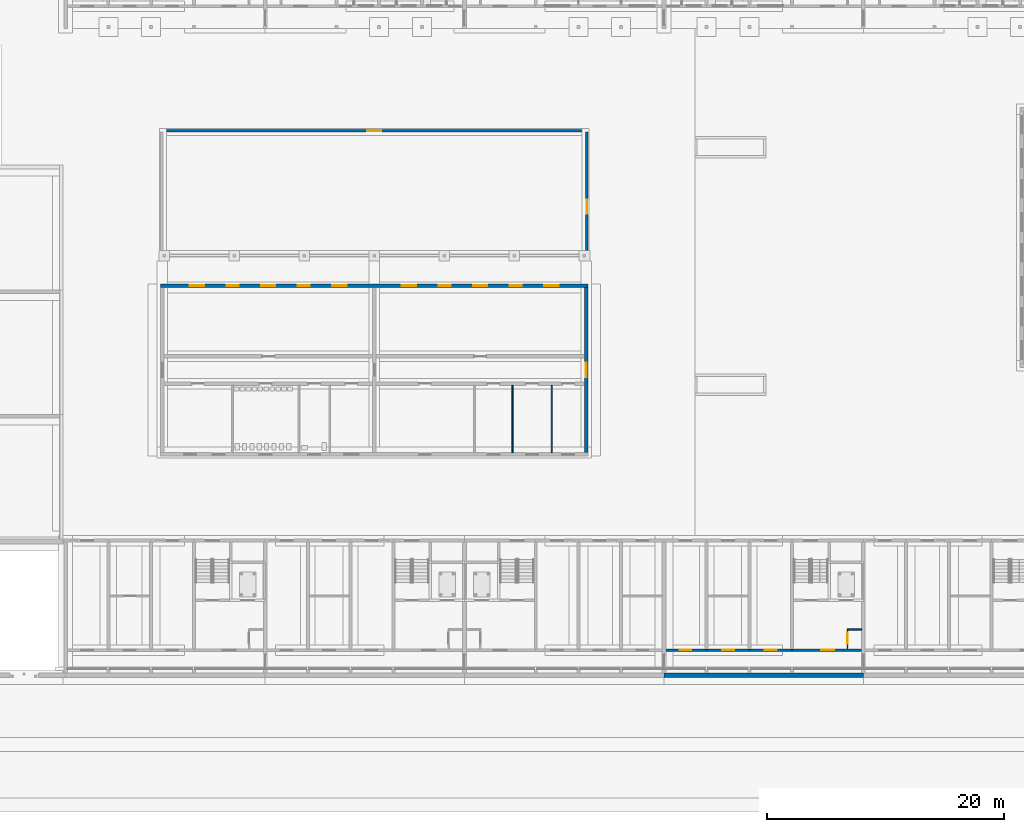
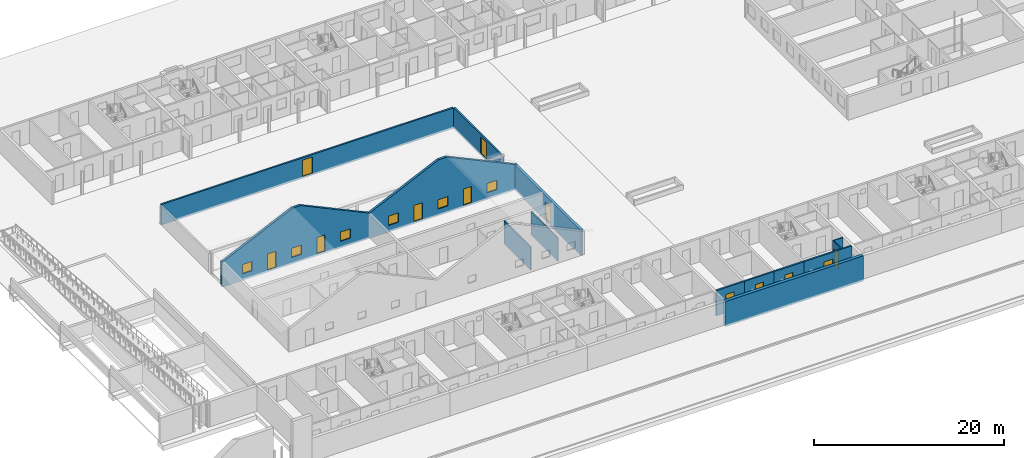
# One storey, part 41 of 112: 13 walls, 12 doors, 6 windows, 18 openings.
"""IFC4 building model written with IfcOpenShell, lengths in metres."""

from ifc_helpers import new_model, si_unit, direction, frame, frame_2d, origin, place, context, subcontext, project, spatial, polyline, rectangle, outline, extrude, material, layer, layer_set, type_object, element, fill, save


model = new_model("IFC4")

# Units and contexts
model_context = context("Model", 3, precision=1e-05, world=origin(), true_north=direction((0.0, 1.0)))
body_context = subcontext(model_context, "Body", "Model", "MODEL_VIEW")
ifc_project = project(units=[si_unit("LENGTHUNIT", "METRE"), si_unit("AREAUNIT", "SQUARE_METRE"), si_unit("VOLUMEUNIT", "CUBIC_METRE"), si_unit("PLANEANGLEUNIT", "RADIAN"), si_unit("MASSUNIT", "GRAM", prefix="KILO")], contexts=[model_context])

# Site, building, storey
site_placement = place(None, origin())
site = spatial("IfcSite", under=ifc_project, at=site_placement, CompositionType="ELEMENT")
building_placement = place(site_placement, origin())
building = spatial("IfcBuilding", under=site, at=building_placement, Name="Ridgestep Commons", CompositionType="ELEMENT")
storey_placement = place(building_placement, origin())
storey = spatial("IfcBuildingStorey", under=building, at=storey_placement, Name="L00", CompositionType="ELEMENT", Elevation=0.0)

# Wall, opening, door
ifc_material_1 = material(Name="Concrete C30/37", Category="concrete")
ifc_layer_1 = layer(ifc_material_1, 0.199951171875)
ifc_layer_set_1 = layer_set([ifc_layer_1], Name="Community enclosure wall 200")
wall_type_1 = type_object("IfcWallType", Name="Community enclosure wall 200", PredefinedType="SOLIDWALL", material=ifc_layer_set_1)
wall_1_placement = place(storey_placement, frame((55.89990234375, 47.0, -0.25), z_axis=(0.0, 0.0, 1.0), x_axis=(0.0, 1.0, 0.0)))
wall_1 = element("IfcWall", 1, at=wall_1_placement, inside=storey, type_object=wall_type_1, Name="Community enclosure wall 200", PredefinedType="SOLIDWALL", context=body_context, shape_type="SweptSolid", body=[
    extrude(rectangle(XDim=10.300048828125, YDim=0.199951171875, at=frame_2d((5.14990234375, 0.0))), origin(), (0.0, 0.0, 1.0), 2.64990234375),
])
opening_1_placement = place(wall_1_placement, frame((3.39990234375, 0.0, 0.25)))
opening_1 = element("IfcOpeningElement", 2, at=opening_1_placement, cuts=wall_1, Name="Opening C025", PredefinedType="OPENING", context=body_context, shape_type="SweptSolid", body=[
    extrude(rectangle(XDim=1.199951171875, YDim=2.10009765625, at=frame_2d((0.60009765625, 1.050048828125))), frame((0.0, 0.10986328125, 0.0), z_axis=(0.0, -1.0, 0.0), x_axis=(1.0, 0.0, 0.0)), (0.0, 0.0, 1.0), 0.219970703125),
])
ifc_material_2 = material(Name="Steel", Category="steel")
door_type_1 = type_object("IfcDoorType", Name="Community gate 1200 x 2100", OperationType="SINGLE_SWING_LEFT", PredefinedType="GATE", material=ifc_material_2)
door_1_placement = place(opening_1_placement, origin())
door_1 = element("IfcDoor", 3, at=door_1_placement, inside=storey, type_object=door_type_1, Name="Community gate 1200 x 2100", OperationType="SINGLE_SWING_RIGHT", OverallHeight=2.10009765625, OverallWidth=1.199951171875, PredefinedType="GATE", context=body_context, shape_type="SweptSolid", body=[
    extrude(rectangle(XDim=1.199951171875, YDim=2.10009765625, at=frame_2d((0.60009765625, 1.050048828125))), frame((0.0, 0.02490234375, 0.0), z_axis=(0.0, -1.0, 0.0), x_axis=(1.0, 0.0, 0.0)), (0.0, 0.0, 1.0), 0.050048828125),
])
fill(opening_1, door_1)

wall_2_placement = place(storey_placement, frame((20.199951171875, 57.39990234375, -0.25), z_axis=(0.0, 0.0, 1.0), x_axis=(1.0, 0.0, 0.0)))
wall_2 = element("IfcWall", 4, at=wall_2_placement, inside=storey, type_object=wall_type_1, Name="Community enclosure wall 200", PredefinedType="SOLIDWALL", context=body_context, shape_type="SweptSolid", body=[
    extrude(rectangle(XDim=35.60009765625, YDim=0.199951171875, at=frame_2d((17.800048828125, 0.0))), origin(), (0.0, 0.0, 1.0), 2.64990234375),
])
opening_2_placement = place(wall_2_placement, frame((17.199951171875, 0.0, 0.25)))
opening_2 = element("IfcOpeningElement", 5, at=opening_2_placement, cuts=wall_2, Name="Opening C024", PredefinedType="OPENING", context=body_context, shape_type="SweptSolid", body=[
    extrude(rectangle(XDim=1.199951171875, YDim=2.10009765625, at=frame_2d((0.60009765625, 1.050048828125))), frame((0.0, 0.10986328125, 0.0), z_axis=(0.0, -1.0, 0.0), x_axis=(1.0, 0.0, 0.0)), (0.0, 0.0, 1.0), 0.219970703125),
])
door_2_placement = place(opening_2_placement, origin())
door_2 = element("IfcDoor", 6, at=door_2_placement, inside=storey, type_object=door_type_1, Name="Community gate 1200 x 2100", OperationType="SINGLE_SWING_LEFT", OverallHeight=2.10009765625, OverallWidth=1.199951171875, PredefinedType="GATE", context=body_context, shape_type="SweptSolid", body=[
    extrude(rectangle(XDim=1.199951171875, YDim=2.10009765625, at=frame_2d((0.60009765625, 1.050048828125))), frame((0.0, 0.02490234375, 0.0), z_axis=(0.0, -1.0, 0.0), x_axis=(1.0, 0.0, 0.0)), (0.0, 0.0, 1.0), 0.050048828125),
])
fill(opening_2, door_2)

ifc_material_3 = material(Name="Facing brick", Category="masonry")
ifc_layer_2 = layer(ifc_material_3, 0.300048828125)
ifc_layer_set_2 = layer_set([ifc_layer_2], Name="Community exposed nursery wall 300")
wall_type_2 = type_object("IfcWallType", Name="Community exposed nursery wall 300", PredefinedType="SOLIDWALL", material=ifc_layer_set_2)
wall_3_placement = place(storey_placement, frame((55.85009765625, 30.300048828125, -0.25), z_axis=(0.0, 0.0, 1.0), x_axis=(0.0, 1.0, 0.0)))
wall_3 = element("IfcWall", 7, at=wall_3_placement, inside=storey, type_object=wall_type_2, Name="Community exposed nursery wall 300", PredefinedType="SOLIDWALL", context=body_context, shape_type="SweptSolid", body=[
    extrude(rectangle(XDim=13.89990234375, YDim=0.300048828125, at=frame_2d((6.949951171875, 0.0))), origin(), (0.0, 0.0, 1.0), 3.25),
])
opening_3_placement = place(wall_3_placement, frame((6.35009765625, 0.0, 0.25)))
opening_3 = element("IfcOpeningElement", 8, at=opening_3_placement, cuts=wall_3, Name="Opening C023", PredefinedType="OPENING", context=body_context, shape_type="SweptSolid", body=[
    extrude(rectangle(XDim=1.199951171875, YDim=2.10009765625, at=frame_2d((0.60009765625, 1.050048828125))), frame((0.0, 0.159912109375, 0.0), z_axis=(0.0, -1.0, 0.0), x_axis=(1.0, 0.0, 0.0)), (0.0, 0.0, 1.0), 0.320068359375),
])
ifc_material_4 = material(Name="Steel", Category="steel")
door_type_2 = type_object("IfcDoorType", Name="Community exit door 1200 x 2100", OperationType="SINGLE_SWING_LEFT", PredefinedType="DOOR", material=ifc_material_4)
door_3_placement = place(opening_3_placement, frame((1.199951171875, 0.0, 0.0), z_axis=(0.0, 0.0, 1.0), x_axis=(-1.0, 0.0, 0.0)))
door_3 = element("IfcDoor", 9, at=door_3_placement, inside=storey, type_object=door_type_2, Name="Community exit door 1200 x 2100", OperationType="SINGLE_SWING_RIGHT", OverallHeight=2.10009765625, OverallWidth=1.199951171875, PredefinedType="DOOR", context=body_context, shape_type="SweptSolid", body=[
    extrude(rectangle(XDim=1.199951171875, YDim=2.10009765625, at=frame_2d((0.60009765625, 1.050048828125))), frame((0.0, 0.02490234375, 0.0), z_axis=(0.0, -1.0, 0.0), x_axis=(1.0, 0.0, 0.0)), (0.0, 0.0, 1.0), 0.050048828125),
])
fill(opening_3, door_3)

ifc_material_5 = material(Name="Concrete C30/37", Category="concrete")
ifc_layer_3 = layer(ifc_material_5, 0.199951171875)
ifc_layer_set_3 = layer_set([ifc_layer_3], Name="Core south wall 200")
wall_type_3 = type_object("IfcWallType", Name="Core south wall 200", PredefinedType="SHEAR", material=ifc_layer_set_3)
wall_4_placement = place(storey_placement, frame((73.199951171875, 13.64990234375, -0.25), z_axis=(0.0, 0.0, 1.0), x_axis=(1.0, 0.0, 0.0)))
wall_4 = element("IfcWall", 10, at=wall_4_placement, inside=storey, type_object=wall_type_3, Name="Core south wall A4C L00", PredefinedType="SHEAR", context=body_context, shape_type="SweptSolid", body=[
    extrude(rectangle(XDim=5.85009765625, YDim=0.199951171875, at=frame_2d((2.925048828125, 0.0))), origin(), (0.0, 0.0, 1.0), 3.25),
])
opening_4_placement = place(wall_4_placement, frame((2.4375, 0.0, 0.25)))
opening_4 = element("IfcOpeningElement", 11, at=opening_4_placement, cuts=wall_4, Name="Opening A4C/00/1", PredefinedType="OPENING", context=body_context, shape_type="SweptSolid", body=[
    extrude(rectangle(XDim=1.10009765625, YDim=2.10009765625, at=frame_2d((0.550048828125, 1.050048828125))), frame((0.0, 0.10986328125, 0.0), z_axis=(0.0, -1.0, 0.0), x_axis=(1.0, 0.0, 0.0)), (0.0, 0.0, 1.0), 0.219970703125),
])
ifc_material_6 = material(Name="Steel fire door", Category="steel")
door_type_3 = type_object("IfcDoorType", Name="Lobby door 1100 x 2100 FD60", OperationType="NOTDEFINED", PredefinedType="DOOR", material=ifc_material_6)
door_4_placement = place(opening_4_placement, origin())
door_4 = element("IfcDoor", 12, at=door_4_placement, inside=storey, type_object=door_type_3, Name="Lobby door A4C/00/1", OperationType="SINGLE_SWING_LEFT", OverallHeight=2.10009765625, OverallWidth=1.10009765625, PredefinedType="DOOR", context=body_context, shape_type="SweptSolid", body=[
    extrude(rectangle(XDim=1.10009765625, YDim=2.10009765625, at=frame_2d((0.550048828125, 1.050048828125))), frame((0.0, 0.02490234375, 0.0), z_axis=(0.0, -1.0, 0.0), x_axis=(1.0, 0.0, 0.0)), (0.0, 0.0, 1.0), 0.050048828125),
])
fill(opening_4, door_4)

ifc_material_7 = material(Name="Concrete C30/37", Category="concrete")
ifc_layer_4 = layer(ifc_material_7, 0.1201171875)
ifc_layer_set_4 = layer_set([ifc_layer_4], Name="Core wall 120")
wall_type_4 = type_object("IfcWallType", Name="Core wall 120", PredefinedType="SHEAR", material=ifc_layer_set_4)
wall_5_placement = place(storey_placement, frame((77.860107421875, 13.75, -0.25), z_axis=(0.0, 0.0, 1.0), x_axis=(0.0, 1.0, 0.0)))
wall_5 = element("IfcWall", 13, at=wall_5_placement, inside=storey, type_object=wall_type_4, Name="Core riser w wall A4C L00", PredefinedType="SHEAR", context=body_context, shape_type="SweptSolid", body=[
    extrude(rectangle(XDim=1.719970703125, YDim=0.1201171875, at=frame_2d((0.85986328125, 0.0))), origin(), (0.0, 0.0, 1.0), 3.25),
])
opening_5_placement = place(wall_5_placement, frame((0.449951171875, 0.0, 0.25)))
opening_5 = element("IfcOpeningElement", 14, at=opening_5_placement, cuts=wall_5, Name="Opening A4C/00/4", PredefinedType="OPENING", context=body_context, shape_type="SweptSolid", body=[
    extrude(rectangle(XDim=0.89990234375, YDim=2.10009765625, at=frame_2d((0.449951171875, 1.050048828125))), frame((0.0, 0.070068359375, 0.0), z_axis=(0.0, -1.0, 0.0), x_axis=(1.0, 0.0, 0.0)), (0.0, 0.0, 1.0), 0.14013671875),
])
ifc_material_8 = material(Name="Steel fire door", Category="steel")
door_type_4 = type_object("IfcDoorType", Name="Riser door 900 x 2100 FD60", OperationType="NOTDEFINED", PredefinedType="DOOR", material=ifc_material_8)
door_5_placement = place(opening_5_placement, origin())
door_5 = element("IfcDoor", 15, at=door_5_placement, inside=storey, type_object=door_type_4, Name="Riser door A4C/00/4", OperationType="SINGLE_SWING_LEFT", OverallHeight=2.10009765625, OverallWidth=0.89990234375, PredefinedType="DOOR", context=body_context, shape_type="SweptSolid", body=[
    extrude(rectangle(XDim=0.89990234375, YDim=2.10009765625, at=frame_2d((0.449951171875, 1.050048828125))), frame((0.0, 0.02490234375, 0.0), z_axis=(0.0, -1.0, 0.0), x_axis=(1.0, 0.0, 0.0)), (0.0, 0.0, 1.0), 0.050048828125),
])
fill(opening_5, door_5)

# Wall
wall_6_placement = place(storey_placement, frame((77.919921875, 15.409912109375, -0.25), z_axis=(0.0, 0.0, 1.0), x_axis=(1.0, 0.0, 0.0)))
element("IfcWall", 16, at=wall_6_placement, inside=storey, type_object=wall_type_4, Name="Core riser n wall A4C L00", PredefinedType="SHEAR", context=body_context, shape_type="SweptSolid", body=[
    extrude(rectangle(XDim=1.130126953125, YDim=0.1201171875, at=frame_2d((0.56494140625, 0.0))), origin(), (0.0, 0.0, 1.0), 3.25),
])

# Wall, openings, doors, windows
ifc_material_9 = material(Name="Facing brick", Category="masonry")
ifc_layer_5 = layer(ifc_material_9, 0.300048828125)
ifc_layer_set_5 = layer_set([ifc_layer_5], Name="Nursery gable wall 300")
wall_type_5 = type_object("IfcWallType", Name="Nursery gable wall 300", PredefinedType="SOLIDWALL", material=ifc_layer_set_5)
wall_7_placement = place(storey_placement, frame((20.0, 44.35009765625, -0.25), z_axis=(0.0, 0.0, 1.0), x_axis=(1.0, 0.0, 0.0)))
wall_7 = element("IfcWall", 17, at=wall_7_placement, inside=storey, type_object=wall_type_5, Name="Nursery gable wall 300", PredefinedType="SOLIDWALL", context=body_context, shape_type="SweptSolid", body=[
    extrude(outline(polyline([(0.0, 0.0), (36.0, 0.0), (36.0, 3.2470703125), (35.85009765625, 3.2470703125), (27.425048828125, 7.175537109375), (26.425048828125, 7.175537109375), (18.0, 3.2470703125), (9.574951171875, 7.175537109375), (8.574951171875, 7.175537109375), (0.14990234375, 3.2470703125), (0.0, 3.2470703125), (0.0, 0.0)])), frame((0.0, 0.14990234375, 0.0), z_axis=(0.0, -1.0, 0.0), x_axis=(1.0, 0.0, 0.0)), (0.0, 0.0, 1.0), 0.300048828125),
])
opening_6_placement = place(wall_7_placement, frame((2.47509765625, 0.0, 0.85009765625)))
opening_6 = element("IfcOpeningElement", 18, at=opening_6_placement, cuts=wall_7, Name="Opening WK9", PredefinedType="OPENING", context=body_context, shape_type="SweptSolid", body=[
    extrude(rectangle(XDim=1.199951171875, YDim=1.199951171875, at=frame_2d((0.60009765625, 0.60009765625))), frame((0.0, 0.159912109375, 0.0), z_axis=(0.0, -1.0, 0.0), x_axis=(1.0, 0.0, 0.0)), (0.0, 0.0, 1.0), 0.320068359375),
])
opening_7_placement = place(wall_7_placement, frame((8.47509765625, 0.0, 0.85009765625)))
opening_7 = element("IfcOpeningElement", 19, at=opening_7_placement, cuts=wall_7, Name="Opening WK9", PredefinedType="OPENING", context=body_context, shape_type="SweptSolid", body=[
    extrude(rectangle(XDim=1.199951171875, YDim=1.199951171875, at=frame_2d((0.60009765625, 0.60009765625))), frame((0.0, 0.159912109375, 0.0), z_axis=(0.0, -1.0, 0.0), x_axis=(1.0, 0.0, 0.0)), (0.0, 0.0, 1.0), 0.320068359375),
])
opening_8_placement = place(wall_7_placement, frame((14.47509765625, 0.0, 0.85009765625)))
opening_8 = element("IfcOpeningElement", 20, at=opening_8_placement, cuts=wall_7, Name="Opening WK9", PredefinedType="OPENING", context=body_context, shape_type="SweptSolid", body=[
    extrude(rectangle(XDim=1.199951171875, YDim=1.199951171875, at=frame_2d((0.60009765625, 0.60009765625))), frame((0.0, 0.159912109375, 0.0), z_axis=(0.0, -1.0, 0.0), x_axis=(1.0, 0.0, 0.0)), (0.0, 0.0, 1.0), 0.320068359375),
])
opening_9_placement = place(wall_7_placement, frame((5.574951171875, 0.0, 0.25)))
opening_9 = element("IfcOpeningElement", 21, at=opening_9_placement, cuts=wall_7, Name="Opening C018", PredefinedType="OPENING", context=body_context, shape_type="SweptSolid", body=[
    extrude(rectangle(XDim=1.0, YDim=2.10009765625, at=frame_2d((0.5, 1.050048828125))), frame((0.0, 0.159912109375, 0.0), z_axis=(0.0, -1.0, 0.0), x_axis=(1.0, 0.0, 0.0)), (0.0, 0.0, 1.0), 0.320068359375),
])
opening_10_placement = place(wall_7_placement, frame((11.574951171875, 0.0, 0.25)))
opening_10 = element("IfcOpeningElement", 22, at=opening_10_placement, cuts=wall_7, Name="Opening C019", PredefinedType="OPENING", context=body_context, shape_type="SweptSolid", body=[
    extrude(rectangle(XDim=1.0, YDim=2.10009765625, at=frame_2d((0.5, 1.050048828125))), frame((0.0, 0.159912109375, 0.0), z_axis=(0.0, -1.0, 0.0), x_axis=(1.0, 0.0, 0.0)), (0.0, 0.0, 1.0), 0.320068359375),
])
opening_11_placement = place(wall_7_placement, frame((20.324951171875, 0.0, 0.85009765625)))
opening_11 = element("IfcOpeningElement", 23, at=opening_11_placement, cuts=wall_7, Name="Opening WK9", PredefinedType="OPENING", context=body_context, shape_type="SweptSolid", body=[
    extrude(rectangle(XDim=1.199951171875, YDim=1.199951171875, at=frame_2d((0.60009765625, 0.60009765625))), frame((0.0, 0.159912109375, 0.0), z_axis=(0.0, -1.0, 0.0), x_axis=(1.0, 0.0, 0.0)), (0.0, 0.0, 1.0), 0.320068359375),
])
opening_12_placement = place(wall_7_placement, frame((26.324951171875, 0.0, 0.85009765625)))
opening_12 = element("IfcOpeningElement", 24, at=opening_12_placement, cuts=wall_7, Name="Opening WK9", PredefinedType="OPENING", context=body_context, shape_type="SweptSolid", body=[
    extrude(rectangle(XDim=1.199951171875, YDim=1.199951171875, at=frame_2d((0.60009765625, 0.60009765625))), frame((0.0, 0.159912109375, 0.0), z_axis=(0.0, -1.0, 0.0), x_axis=(1.0, 0.0, 0.0)), (0.0, 0.0, 1.0), 0.320068359375),
])
opening_13_placement = place(wall_7_placement, frame((32.324951171875, 0.0, 0.85009765625)))
opening_13 = element("IfcOpeningElement", 25, at=opening_13_placement, cuts=wall_7, Name="Opening WK9", PredefinedType="OPENING", context=body_context, shape_type="SweptSolid", body=[
    extrude(rectangle(XDim=1.199951171875, YDim=1.199951171875, at=frame_2d((0.60009765625, 0.60009765625))), frame((0.0, 0.159912109375, 0.0), z_axis=(0.0, -1.0, 0.0), x_axis=(1.0, 0.0, 0.0)), (0.0, 0.0, 1.0), 0.320068359375),
])
opening_14_placement = place(wall_7_placement, frame((23.425048828125, 0.0, 0.25)))
opening_14 = element("IfcOpeningElement", 26, at=opening_14_placement, cuts=wall_7, Name="Opening C020", PredefinedType="OPENING", context=body_context, shape_type="SweptSolid", body=[
    extrude(rectangle(XDim=1.0, YDim=2.10009765625, at=frame_2d((0.5, 1.050048828125))), frame((0.0, 0.159912109375, 0.0), z_axis=(0.0, -1.0, 0.0), x_axis=(1.0, 0.0, 0.0)), (0.0, 0.0, 1.0), 0.320068359375),
])
opening_15_placement = place(wall_7_placement, frame((29.425048828125, 0.0, 0.25)))
opening_15 = element("IfcOpeningElement", 27, at=opening_15_placement, cuts=wall_7, Name="Opening C021", PredefinedType="OPENING", context=body_context, shape_type="SweptSolid", body=[
    extrude(rectangle(XDim=1.0, YDim=2.10009765625, at=frame_2d((0.5, 1.050048828125))), frame((0.0, 0.159912109375, 0.0), z_axis=(0.0, -1.0, 0.0), x_axis=(1.0, 0.0, 0.0)), (0.0, 0.0, 1.0), 0.320068359375),
])
ifc_material_10 = material(Name="Timber and glass", Category="wood")
door_type_5 = type_object("IfcDoorType", Name="Nursery door 1000 x 2100", OperationType="SINGLE_SWING_LEFT", PredefinedType="DOOR", material=ifc_material_10)
door_6_placement = place(opening_9_placement, origin())
door_6 = element("IfcDoor", 28, at=door_6_placement, inside=storey, type_object=door_type_5, Name="Nursery door 1000 x 2100", OperationType="SINGLE_SWING_RIGHT", OverallHeight=2.10009765625, OverallWidth=1.0, PredefinedType="DOOR", context=body_context, shape_type="SweptSolid", body=[
    extrude(rectangle(XDim=1.0, YDim=2.10009765625, at=frame_2d((0.5, 1.050048828125))), frame((0.0, 0.02490234375, 0.0), z_axis=(0.0, -1.0, 0.0), x_axis=(1.0, 0.0, 0.0)), (0.0, 0.0, 1.0), 0.050048828125),
])
fill(opening_9, door_6)
door_7_placement = place(opening_10_placement, origin())
door_7 = element("IfcDoor", 29, at=door_7_placement, inside=storey, type_object=door_type_5, Name="Nursery door 1000 x 2100", OperationType="SINGLE_SWING_LEFT", OverallHeight=2.10009765625, OverallWidth=1.0, PredefinedType="DOOR", context=body_context, shape_type="SweptSolid", body=[
    extrude(rectangle(XDim=1.0, YDim=2.10009765625, at=frame_2d((0.5, 1.050048828125))), frame((0.0, 0.02490234375, 0.0), z_axis=(0.0, -1.0, 0.0), x_axis=(1.0, 0.0, 0.0)), (0.0, 0.0, 1.0), 0.050048828125),
])
fill(opening_10, door_7)
door_8_placement = place(opening_14_placement, origin())
door_8 = element("IfcDoor", 30, at=door_8_placement, inside=storey, type_object=door_type_5, Name="Nursery door 1000 x 2100", OperationType="SINGLE_SWING_LEFT", OverallHeight=2.10009765625, OverallWidth=1.0, PredefinedType="DOOR", context=body_context, shape_type="SweptSolid", body=[
    extrude(rectangle(XDim=1.0, YDim=2.10009765625, at=frame_2d((0.5, 1.050048828125))), frame((0.0, 0.02490234375, 0.0), z_axis=(0.0, -1.0, 0.0), x_axis=(1.0, 0.0, 0.0)), (0.0, 0.0, 1.0), 0.050048828125),
])
fill(opening_14, door_8)
door_9_placement = place(opening_15_placement, origin())
door_9 = element("IfcDoor", 31, at=door_9_placement, inside=storey, type_object=door_type_5, Name="Nursery door 1000 x 2100", OperationType="SINGLE_SWING_LEFT", OverallHeight=2.10009765625, OverallWidth=1.0, PredefinedType="DOOR", context=body_context, shape_type="SweptSolid", body=[
    extrude(rectangle(XDim=1.0, YDim=2.10009765625, at=frame_2d((0.5, 1.050048828125))), frame((0.0, 0.02490234375, 0.0), z_axis=(0.0, -1.0, 0.0), x_axis=(1.0, 0.0, 0.0)), (0.0, 0.0, 1.0), 0.050048828125),
])
fill(opening_15, door_9)
ifc_material_11 = material(Name="Timber and glass", Category="wood")
window_type = type_object("IfcWindowType", Name="Nursery window 1200 x 1200", PartitioningType="DOUBLE_PANEL_VERTICAL", PredefinedType="WINDOW", material=ifc_material_11)
window_1_placement = place(opening_6_placement, origin())
window_1 = element("IfcWindow", 32, at=window_1_placement, inside=storey, type_object=window_type, Name="Nursery window 1200 x 1200", OverallHeight=1.199951171875, OverallWidth=1.199951171875, PartitioningType="SINGLE_PANEL", PredefinedType="WINDOW", context=body_context, shape_type="SweptSolid", body=[
    extrude(rectangle(XDim=1.199951171875, YDim=1.199951171875, at=frame_2d((0.60009765625, 0.60009765625))), frame((0.0, 0.030029296875, 0.0), z_axis=(0.0, -1.0, 0.0), x_axis=(1.0, 0.0, 0.0)), (0.0, 0.0, 1.0), 0.06005859375),
])
fill(opening_6, window_1)
window_2_placement = place(opening_7_placement, origin())
window_2 = element("IfcWindow", 33, at=window_2_placement, inside=storey, type_object=window_type, Name="Nursery window 1200 x 1200", OverallHeight=1.199951171875, OverallWidth=1.199951171875, PartitioningType="SINGLE_PANEL", PredefinedType="WINDOW", context=body_context, shape_type="SweptSolid", body=[
    extrude(rectangle(XDim=1.199951171875, YDim=1.199951171875, at=frame_2d((0.60009765625, 0.60009765625))), frame((0.0, 0.030029296875, 0.0), z_axis=(0.0, -1.0, 0.0), x_axis=(1.0, 0.0, 0.0)), (0.0, 0.0, 1.0), 0.06005859375),
])
fill(opening_7, window_2)
window_3_placement = place(opening_8_placement, origin())
window_3 = element("IfcWindow", 34, at=window_3_placement, inside=storey, type_object=window_type, Name="Nursery window 1200 x 1200", OverallHeight=1.199951171875, OverallWidth=1.199951171875, PartitioningType="SINGLE_PANEL", PredefinedType="WINDOW", context=body_context, shape_type="SweptSolid", body=[
    extrude(rectangle(XDim=1.199951171875, YDim=1.199951171875, at=frame_2d((0.60009765625, 0.60009765625))), frame((0.0, 0.030029296875, 0.0), z_axis=(0.0, -1.0, 0.0), x_axis=(1.0, 0.0, 0.0)), (0.0, 0.0, 1.0), 0.06005859375),
])
fill(opening_8, window_3)
window_4_placement = place(opening_11_placement, origin())
window_4 = element("IfcWindow", 35, at=window_4_placement, inside=storey, type_object=window_type, Name="Nursery window 1200 x 1200", OverallHeight=1.199951171875, OverallWidth=1.199951171875, PartitioningType="SINGLE_PANEL", PredefinedType="WINDOW", context=body_context, shape_type="SweptSolid", body=[
    extrude(rectangle(XDim=1.199951171875, YDim=1.199951171875, at=frame_2d((0.60009765625, 0.60009765625))), frame((0.0, 0.030029296875, 0.0), z_axis=(0.0, -1.0, 0.0), x_axis=(1.0, 0.0, 0.0)), (0.0, 0.0, 1.0), 0.06005859375),
])
fill(opening_11, window_4)
window_5_placement = place(opening_12_placement, origin())
window_5 = element("IfcWindow", 36, at=window_5_placement, inside=storey, type_object=window_type, Name="Nursery window 1200 x 1200", OverallHeight=1.199951171875, OverallWidth=1.199951171875, PartitioningType="SINGLE_PANEL", PredefinedType="WINDOW", context=body_context, shape_type="SweptSolid", body=[
    extrude(rectangle(XDim=1.199951171875, YDim=1.199951171875, at=frame_2d((0.60009765625, 0.60009765625))), frame((0.0, 0.030029296875, 0.0), z_axis=(0.0, -1.0, 0.0), x_axis=(1.0, 0.0, 0.0)), (0.0, 0.0, 1.0), 0.06005859375),
])
fill(opening_12, window_5)
window_6_placement = place(opening_13_placement, origin())
window_6 = element("IfcWindow", 37, at=window_6_placement, inside=storey, type_object=window_type, Name="Nursery window 1200 x 1200", OverallHeight=1.199951171875, OverallWidth=1.199951171875, PartitioningType="SINGLE_PANEL", PredefinedType="WINDOW", context=body_context, shape_type="SweptSolid", body=[
    extrude(rectangle(XDim=1.199951171875, YDim=1.199951171875, at=frame_2d((0.60009765625, 0.60009765625))), frame((0.0, 0.030029296875, 0.0), z_axis=(0.0, -1.0, 0.0), x_axis=(1.0, 0.0, 0.0)), (0.0, 0.0, 1.0), 0.06005859375),
])
fill(opening_13, window_6)

# Walls
ifc_material_12 = material(Name="Common brick 110 mm", Category="masonry")
ifc_layer_6 = layer(ifc_material_12, 0.110107421875)
ifc_layer_set_6 = layer_set([ifc_layer_6], Name="Nursery partition 110")
wall_type_6 = type_object("IfcWallType", Name="Nursery partition 110", PredefinedType="PARTITIONING", material=ifc_layer_set_6)
for number, where, z_axis, x_axis, name in (
    (38, (49.64990234375, 30.300048828125, 0.0), (0.0, 0.0, 1.0), (0.0, 1.0, 0.0), "Nursery partition 110"),
    (39, (52.949951171875, 30.300048828125, 0.0), (0.0, 0.0, 1.0), (0.0, 1.0, 0.0), "Nursery partition 110"),
):
    element("IfcWall", number, at=place(storey_placement, frame(where, z_axis=z_axis, x_axis=x_axis)), inside=storey, type_object=wall_type_6, Name=name, PredefinedType="PARTITIONING", context=body_context, shape_type="SweptSolid", body=[
        extrude(rectangle(XDim=5.64990234375, YDim=0.110107421875, at=frame_2d((2.824951171875, 0.0))), origin(), (0.0, 0.0, 1.0), 3.0),
    ])
ifc_material_13 = material(Name="Concrete C30/37", Category="concrete")
ifc_layer_7 = layer(ifc_material_13, 0.39990234375)
ifc_layer_set_7 = layer_set([ifc_layer_7], Name="Plinth retaining wall 400")
wall_type_7 = type_object("IfcWallType", Name="Plinth retaining wall 400", PredefinedType="SOLIDWALL", material=ifc_layer_set_7)
wall_8_placement = place(storey_placement, frame((62.39990234375, 11.550048828125, -0.25), z_axis=(0.0, 0.0, 1.0), x_axis=(1.0, 0.0, 0.0)))
element("IfcWall", 40, at=wall_8_placement, inside=storey, type_object=wall_type_7, Name="Plinth retaining wall A4 L00", PredefinedType="SOLIDWALL", context=body_context, shape_type="SweptSolid", body=[
    extrude(rectangle(XDim=16.800048828125, YDim=0.39990234375, at=frame_2d((8.39990234375, 0.0))), origin(), (0.0, 0.0, 1.0), 3.25),
])

# Wall, opening, door
ifc_material_14 = material(Name="Precast concrete C40/50", Category="concrete")
ifc_layer_8 = layer(ifc_material_14, 0.199951171875)
ifc_layer_set_8 = layer_set([ifc_layer_8], Name="South facade panel 200")
wall_type_8 = type_object("IfcWallType", Name="South facade panel 200", PredefinedType="SOLIDWALL", material=ifc_layer_set_8)
wall_9_placement = place(storey_placement, frame((62.550048828125, 13.64990234375, -0.25), z_axis=(0.0, 0.0, 1.0), x_axis=(1.0, 0.0, 0.0)))
wall_9 = element("IfcWall", 41, at=wall_9_placement, inside=storey, type_object=wall_type_8, Name="South panel A4T1 L00", PredefinedType="SOLIDWALL", context=body_context, shape_type="SweptSolid", body=[
    extrude(rectangle(XDim=3.449951171875, YDim=0.199951171875, at=frame_2d((1.72509765625, 0.0))), origin(), (0.0, 0.0, 1.0), 3.25),
])
opening_16_placement = place(wall_9_placement, frame((1.16259765625, 0.0, 0.25)))
opening_16 = element("IfcOpeningElement", 42, at=opening_16_placement, cuts=wall_9, Name="Opening A4-00p/1", PredefinedType="OPENING", context=body_context, shape_type="SweptSolid", body=[
    extrude(rectangle(XDim=1.0, YDim=2.10009765625, at=frame_2d((0.5, 1.050048828125))), frame((0.0, 0.10986328125, 0.0), z_axis=(0.0, -1.0, 0.0), x_axis=(1.0, 0.0, 0.0)), (0.0, 0.0, 1.0), 0.219970703125),
])
ifc_material_15 = material(Name="Steel door leaf", Category="steel")
door_type_6 = type_object("IfcDoorType", Name="Store door 1000 x 2100", OperationType="NOTDEFINED", PredefinedType="DOOR", material=ifc_material_15)
door_10_placement = place(opening_16_placement, origin())
door_10 = element("IfcDoor", 43, at=door_10_placement, inside=storey, type_object=door_type_6, Name="Store door A4-00p/1", OperationType="SINGLE_SWING_RIGHT", OverallHeight=2.10009765625, OverallWidth=1.0, PredefinedType="DOOR", context=body_context, shape_type="SweptSolid", body=[
    extrude(rectangle(XDim=1.0, YDim=2.10009765625, at=frame_2d((0.5, 1.050048828125))), frame((0.0, 0.02490234375, 0.0), z_axis=(0.0, -1.0, 0.0), x_axis=(1.0, 0.0, 0.0)), (0.0, 0.0, 1.0), 0.050048828125),
])
fill(opening_16, door_10)

wall_10_placement = place(storey_placement, frame((66.0, 13.64990234375, -0.25), z_axis=(0.0, 0.0, 1.0), x_axis=(1.0, 0.0, 0.0)))
wall_10 = element("IfcWall", 44, at=wall_10_placement, inside=storey, type_object=wall_type_8, Name="South panel A4T2 L00", PredefinedType="SOLIDWALL", context=body_context, shape_type="SweptSolid", body=[
    extrude(rectangle(XDim=3.60009765625, YDim=0.199951171875, at=frame_2d((1.800048828125, 0.0))), origin(), (0.0, 0.0, 1.0), 3.25),
])
opening_17_placement = place(wall_10_placement, frame((1.300048828125, 0.0, 0.25)))
opening_17 = element("IfcOpeningElement", 45, at=opening_17_placement, cuts=wall_10, Name="Opening A4-00p/3", PredefinedType="OPENING", context=body_context, shape_type="SweptSolid", body=[
    extrude(rectangle(XDim=1.0, YDim=2.10009765625, at=frame_2d((0.5, 1.050048828125))), frame((0.0, 0.10986328125, 0.0), z_axis=(0.0, -1.0, 0.0), x_axis=(1.0, 0.0, 0.0)), (0.0, 0.0, 1.0), 0.219970703125),
])
door_11_placement = place(opening_17_placement, origin())
door_11 = element("IfcDoor", 46, at=door_11_placement, inside=storey, type_object=door_type_6, Name="Store door A4-00p/3", OperationType="SINGLE_SWING_RIGHT", OverallHeight=2.10009765625, OverallWidth=1.0, PredefinedType="DOOR", context=body_context, shape_type="SweptSolid", body=[
    extrude(rectangle(XDim=1.0, YDim=2.10009765625, at=frame_2d((0.5, 1.050048828125))), frame((0.0, 0.02490234375, 0.0), z_axis=(0.0, -1.0, 0.0), x_axis=(1.0, 0.0, 0.0)), (0.0, 0.0, 1.0), 0.050048828125),
])
fill(opening_17, door_11)

wall_11_placement = place(storey_placement, frame((69.60009765625, 13.64990234375, -0.25), z_axis=(0.0, 0.0, 1.0), x_axis=(1.0, 0.0, 0.0)))
wall_11 = element("IfcWall", 47, at=wall_11_placement, inside=storey, type_object=wall_type_8, Name="South panel A4T3 L00", PredefinedType="SOLIDWALL", context=body_context, shape_type="SweptSolid", body=[
    extrude(rectangle(XDim=3.599853515625, YDim=0.199951171875, at=frame_2d((1.7998046875, 0.0))), origin(), (0.0, 0.0, 1.0), 3.25),
])
opening_18_placement = place(wall_11_placement, frame((1.300048828125, 0.0, 0.25)))
opening_18 = element("IfcOpeningElement", 48, at=opening_18_placement, cuts=wall_11, Name="Opening A4-00p/5", PredefinedType="OPENING", context=body_context, shape_type="SweptSolid", body=[
    extrude(rectangle(XDim=1.0, YDim=2.10009765625, at=frame_2d((0.5, 1.050048828125))), frame((0.0, 0.10986328125, 0.0), z_axis=(0.0, -1.0, 0.0), x_axis=(1.0, 0.0, 0.0)), (0.0, 0.0, 1.0), 0.219970703125),
])
door_12_placement = place(opening_18_placement, origin())
door_12 = element("IfcDoor", 49, at=door_12_placement, inside=storey, type_object=door_type_6, Name="Store door A4-00p/5", OperationType="SINGLE_SWING_RIGHT", OverallHeight=2.10009765625, OverallWidth=1.0, PredefinedType="DOOR", context=body_context, shape_type="SweptSolid", body=[
    extrude(rectangle(XDim=1.0, YDim=2.10009765625, at=frame_2d((0.5, 1.050048828125))), frame((0.0, 0.02490234375, 0.0), z_axis=(0.0, -1.0, 0.0), x_axis=(1.0, 0.0, 0.0)), (0.0, 0.0, 1.0), 0.050048828125),
])
fill(opening_18, door_12)

save(model, "model.ifc")
